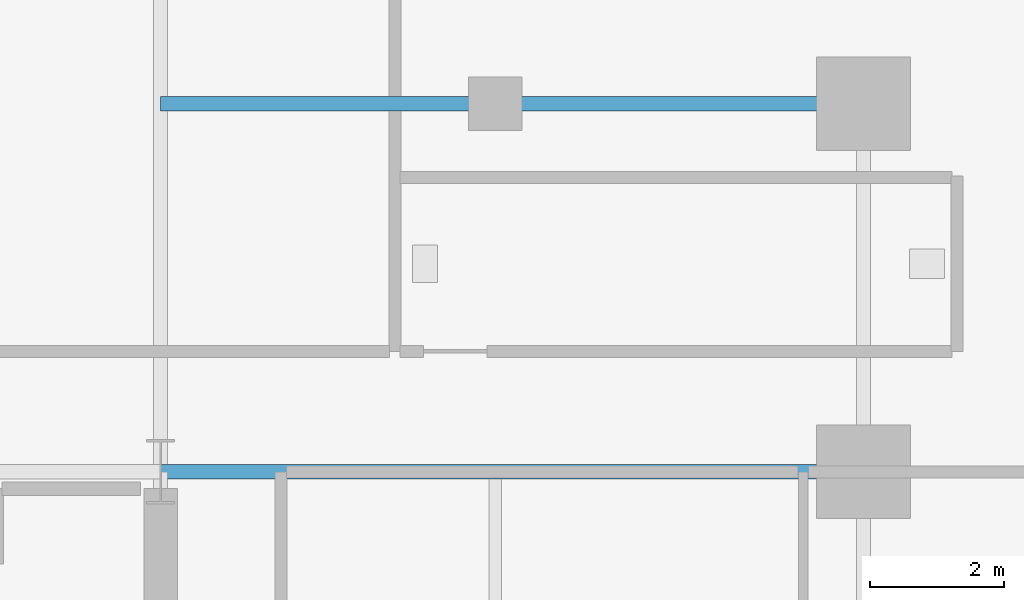
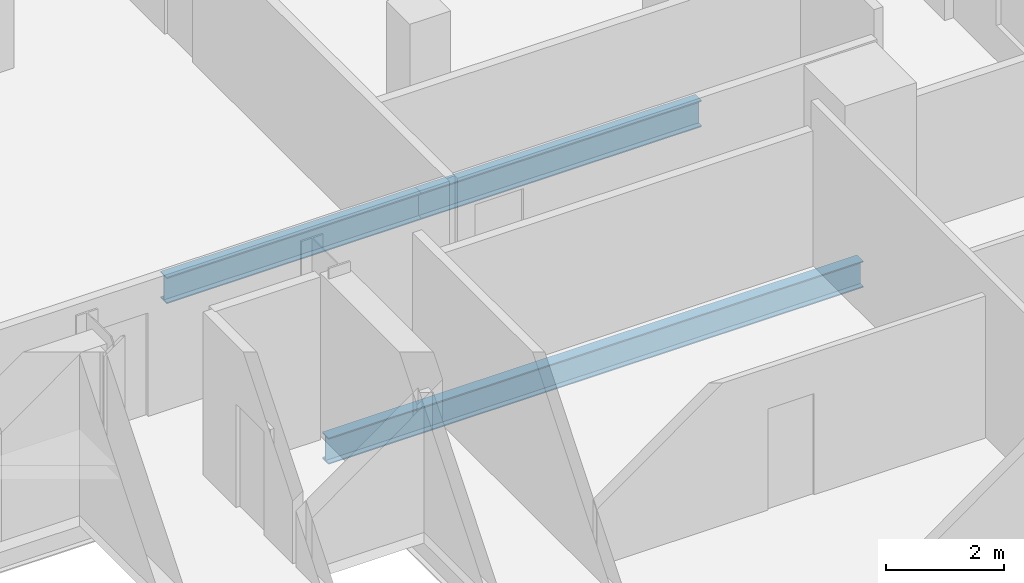
# One storey, part 18 of 27: 3 beams.
"""IFC4 building model written with IfcOpenShell, lengths in metres."""

from ifc_helpers import new_model, si_unit, direction, frame, origin, origin_2d, place, context, subcontext, project, spatial, i_section, extrude, material, material_profile, profile_set, type_object, element, save


model = new_model("IFC4")

# Units and contexts
model_context = context("Model", 3, precision=1e-05, world=origin(), true_north=direction((0.0, 1.0)))
body_context = subcontext(model_context, "Body", "Model", "MODEL_VIEW")
ifc_project = project(units=[si_unit("LENGTHUNIT", "METRE"), si_unit("AREAUNIT", "SQUARE_METRE"), si_unit("VOLUMEUNIT", "CUBIC_METRE"), si_unit("PLANEANGLEUNIT", "RADIAN"), si_unit("MASSUNIT", "GRAM", prefix="KILO")], contexts=[model_context])

# Site, building, storey
site_placement = place(None, origin())
site = spatial("IfcSite", under=ifc_project, at=site_placement, CompositionType="ELEMENT")
building_placement = place(site_placement, origin())
building = spatial("IfcBuilding", under=site, at=building_placement, Name="Barlavira Tower and Art Museum", CompositionType="ELEMENT")
storey_placement = place(building_placement, frame((0.0, 0.0, 50.39990234375)))
storey = spatial("IfcBuildingStorey", under=building, at=storey_placement, Name="L11", CompositionType="ELEMENT", Elevation=50.39990234375)

# Beams
ifc_material = material(Name="Steel S355", Category="steel")
ifc_material_profile = material_profile(ifc_material, i_section(OverallWidth=0.214111328125, OverallDepth=0.549072265625, WebThickness=0.0146484375, FlangeThickness=0.023681640625, at=origin_2d()), Name="W530x138.0")
ifc_profile_set = profile_set([ifc_material_profile], Name="Steel S355")
beam_type = type_object("IfcBeamType", Name="Zone 1 Primary Floor Girder W530x138 Steel S355", PredefinedType="BEAM", material=ifc_profile_set)
beam_1_placement = place(storey_placement, frame((6.5, 7.5, -0.494384765625), z_axis=(1.0, 0.0, 0.0), x_axis=(0.0, 1.0, 0.0)))
element("IfcBeam", 1, at=beam_1_placement, inside=storey, type_object=beam_type, Name="L11 Girder R-E2", PredefinedType="BEAM", context=body_context, shape_type="SweptSolid", body=[
    extrude(i_section(OverallWidth=0.214111328125, OverallDepth=0.549072265625, WebThickness=0.0146484375, FlangeThickness=0.023681640625, at=origin_2d()), origin(), (0.0, 0.0, 1.0), 10.5),
])
beam_2_placement = place(storey_placement, frame((6.5, 13.0, -0.494384765625), z_axis=(1.0, 0.0, 0.0), x_axis=(0.0, 1.0, 0.0)))
element("IfcBeam", 2, at=beam_2_placement, inside=storey, type_object=beam_type, Name="L11 Girder I-N3", PredefinedType="BEAM", context=body_context, shape_type="SweptSolid", body=[
    extrude(i_section(OverallWidth=0.214111328125, OverallDepth=0.549072265625, WebThickness=0.0146484375, FlangeThickness=0.023681640625, at=origin_2d()), origin(), (0.0, 0.0, 1.0), 5.0),
])
beam_3_placement = place(storey_placement, frame((11.5, 13.0, -0.494384765625), z_axis=(1.0, 0.0, 0.0), x_axis=(0.0, 1.0, 0.0)))
element("IfcBeam", 3, at=beam_3_placement, inside=storey, type_object=beam_type, Name="L11 Girder I-N4", PredefinedType="BEAM", context=body_context, shape_type="SweptSolid", body=[
    extrude(i_section(OverallWidth=0.214111328125, OverallDepth=0.549072265625, WebThickness=0.0146484375, FlangeThickness=0.023681640625, at=origin_2d()), origin(), (0.0, 0.0, 1.0), 5.5),
])

save(model, "model.ifc")
